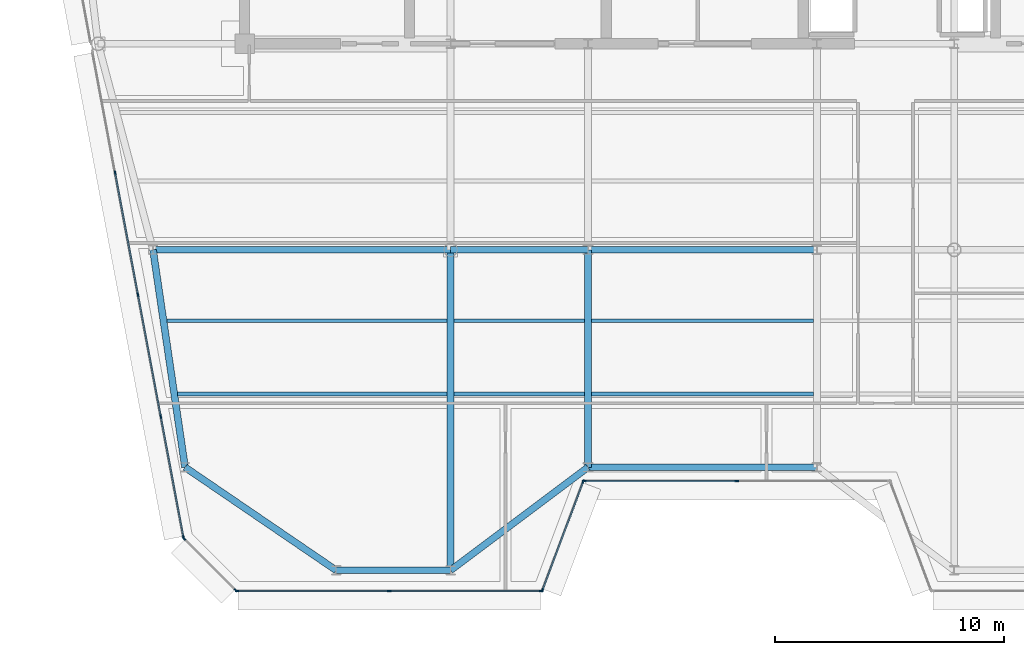
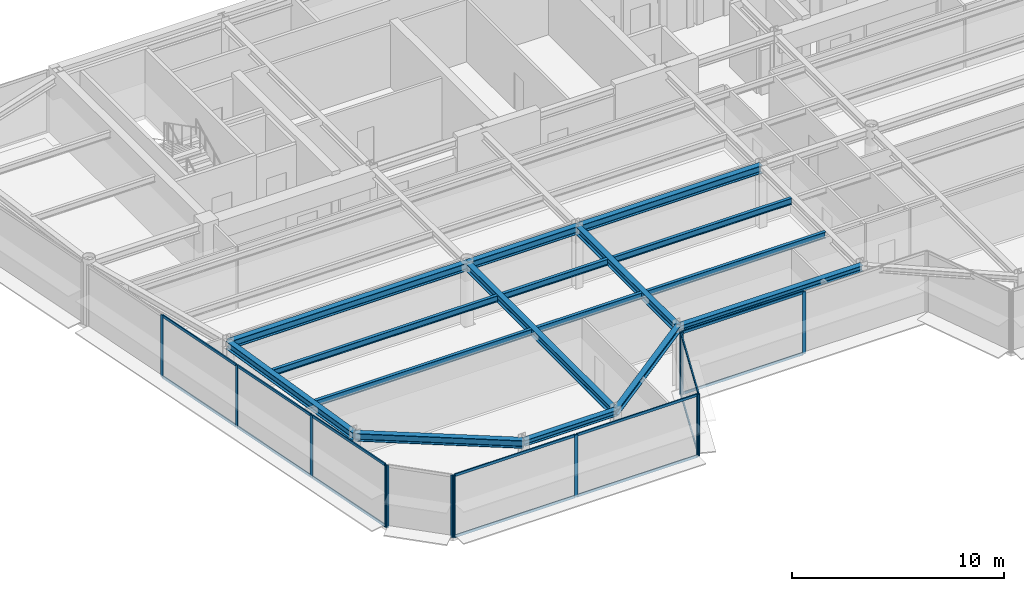
# One storey, part 3 of 19: 27 members, 16 beams, 5 elements without a shape of their own.
"""IFC4 building model written with IfcOpenShell, lengths in metres."""

from ifc_helpers import new_model, si_unit, direction, frame, origin, origin_2d, place, context, subcontext, project, spatial, rectangle, i_section, extrude, source, transform, mapped, material, layer, layer_set, material_profile, profile_set, type_object, element, aggregate, save


model = new_model("IFC4")

# Units and contexts
model_context = context("Model", 3, precision=1e-05, world=origin(), true_north=direction((0.0, 1.0)))
body_context = subcontext(model_context, "Body", "Model", "MODEL_VIEW")
ifc_project = project(units=[si_unit("LENGTHUNIT", "METRE"), si_unit("AREAUNIT", "SQUARE_METRE"), si_unit("VOLUMEUNIT", "CUBIC_METRE"), si_unit("PLANEANGLEUNIT", "RADIAN"), si_unit("MASSUNIT", "GRAM", prefix="KILO")], contexts=[model_context])

# Site, building, storey
site_placement = place(None, origin())
site = spatial("IfcSite", under=ifc_project, at=site_placement, CompositionType="ELEMENT")
building_placement = place(site_placement, origin())
building = spatial("IfcBuilding", under=site, at=building_placement, Name="Vaeldorn Concourse Tower", CompositionType="ELEMENT")
storey_placement = place(building_placement, frame((0.0, 0.0, 287.800048828125)))
storey = spatial("IfcBuildingStorey", under=building, at=storey_placement, Name="L74", CompositionType="ELEMENT", Elevation=287.800048828125)

# Beams
ifc_material_1 = material(Name="Steel S355", Category="steel")
ifc_material_profile_1 = material_profile(ifc_material_1, i_section(OverallWidth=0.300048828125, OverallDepth=0.449951171875, WebThickness=0.013916015625, FlangeThickness=0.02587890625, FilletRadius=0.027099609375, at=origin_2d()), Name="HEB 450")
ifc_profile_set_1 = profile_set([ifc_material_profile_1], Name="Steel S355")
beam_type_1 = type_object("IfcBeamType", Name="BM-PG-HEB450", PredefinedType="BEAM", material=ifc_profile_set_1)
shared_shape_1 = source(origin(), body_context, "Body", "SweptSolid", [
    extrude(i_section(OverallWidth=0.300048828125, OverallDepth=0.449951171875, WebThickness=0.013916015625, FlangeThickness=0.02587890625, FilletRadius=0.027099609375, at=origin_2d()), origin(), (0.0, 0.0, 1.0), 6.0),
])
beam_1_placement = place(storey_placement, frame((23.0, 27.5, 3.35498046875), z_axis=(1.0, 0.0, 0.0), x_axis=(0.0, 1.0, 0.0)))
element("IfcBeam", 1, at=beam_1_placement, inside=storey, type_object=beam_type_1, Name="Beam BM-L74-C-TW1-C-TW2", PredefinedType="BEAM", context=body_context, shape_type="MappedRepresentation", body=[
    mapped(shared_shape_1, transform((0.0, 0.0, 0.0), scale=1.0)),
])
shared_shape_2 = source(origin(), body_context, "Body", "SweptSolid", [
    extrude(i_section(OverallWidth=0.300048828125, OverallDepth=0.449951171875, WebThickness=0.013916015625, FlangeThickness=0.02587890625, FilletRadius=0.027099609375, at=origin_2d()), origin(), (0.0, 0.0, 1.0), 10.0),
])
beam_2_placement = place(storey_placement, frame((29.0, 27.5, 3.35498046875), z_axis=(1.0, 0.0, 0.0), x_axis=(0.0, 1.0, 0.0)))
element("IfcBeam", 2, at=beam_2_placement, inside=storey, type_object=beam_type_1, Name="Beam BM-L74-C-TW2-C-TW3", PredefinedType="BEAM", context=body_context, shape_type="MappedRepresentation", body=[
    mapped(shared_shape_2, transform((0.0, 0.0, 0.0), scale=1.0)),
])
ifc_material_profile_2 = material_profile(ifc_material_1, i_section(OverallWidth=0.169921875, OverallDepth=0.360107421875, WebThickness=0.008056640625, FlangeThickness=0.0126953125, FilletRadius=0.01806640625, at=origin_2d()), Name="IPE 360")
ifc_profile_set_2 = profile_set([ifc_material_profile_2], Name="Steel S355")
beam_type_2 = type_object("IfcBeamType", Name="BM-JS-IPE360", PredefinedType="JOIST", material=ifc_profile_set_2)
shared_shape_3 = source(origin(), body_context, "Body", "SweptSolid", [
    extrude(i_section(OverallWidth=0.169921875, OverallDepth=0.360107421875, WebThickness=0.008056640625, FlangeThickness=0.0126953125, FilletRadius=0.01806640625, at=origin_2d()), origin(), (0.0, 0.0, 1.0), 11.771728515625),
])
beam_3_placement = place(storey_placement, frame((11.078369140625, 21.199951171875, 3.39990234375), z_axis=(1.0, 0.0, 0.0), x_axis=(0.0, 1.0, 0.0)))
element("IfcBeam", 3, at=beam_3_placement, inside=storey, type_object=beam_type_2, Name="Beam JS-L74-W1-212", PredefinedType="JOIST", context=body_context, shape_type="MappedRepresentation", body=[
    mapped(shared_shape_3, transform((0.0, 0.0, 0.0), scale=1.0)),
])
shared_shape_4 = source(origin(), body_context, "Body", "SweptSolid", [
    extrude(i_section(OverallWidth=0.169921875, OverallDepth=0.360107421875, WebThickness=0.008056640625, FlangeThickness=0.0126953125, FilletRadius=0.01806640625, at=origin_2d()), origin(), (0.0, 0.0, 1.0), 5.7001953125),
])
for number, where, z_axis, x_axis, name in (
    (4, (23.14990234375, 21.199951171875, 3.39990234375), (1.0, 0.0, 0.0), (0.0, 1.0, 0.0), "Beam JS-L74-W2-212"),
    (5, (23.14990234375, 24.39990234375, 3.39990234375), (1.0, 0.0, 0.0), (0.0, 1.0, 0.0), "Beam JS-L74-W2-244"),
):
    element("IfcBeam", number, at=place(storey_placement, frame(where, z_axis=z_axis, x_axis=x_axis)), inside=storey, type_object=beam_type_2, Name=name, PredefinedType="JOIST", context=body_context, shape_type="MappedRepresentation", body=[
        mapped(shared_shape_4, transform((0.0, 0.0, 0.0), scale=1.0)),
    ])
shared_shape_5 = source(origin(), body_context, "Body", "SweptSolid", [
    extrude(i_section(OverallWidth=0.169921875, OverallDepth=0.360107421875, WebThickness=0.008056640625, FlangeThickness=0.0126953125, FilletRadius=0.01806640625, at=origin_2d()), origin(), (0.0, 0.0, 1.0), 9.7001953125),
])
for number, where, z_axis, x_axis, name in (
    (6, (29.14990234375, 21.199951171875, 3.39990234375), (1.0, 0.0, 0.0), (0.0, 1.0, 0.0), "Beam JS-L74-C-212"),
    (7, (29.14990234375, 24.39990234375, 3.39990234375), (1.0, 0.0, 0.0), (0.0, 1.0, 0.0), "Beam JS-L74-C-244"),
):
    element("IfcBeam", number, at=place(storey_placement, frame(where, z_axis=z_axis, x_axis=x_axis)), inside=storey, type_object=beam_type_2, Name=name, PredefinedType="JOIST", context=body_context, shape_type="MappedRepresentation", body=[
        mapped(shared_shape_5, transform((0.0, 0.0, 0.0), scale=1.0)),
    ])
shared_shape_6 = source(origin(), body_context, "Body", "SweptSolid", [
    extrude(i_section(OverallWidth=0.169921875, OverallDepth=0.360107421875, WebThickness=0.008056640625, FlangeThickness=0.0126953125, FilletRadius=0.01806640625, at=origin_2d()), origin(), (0.0, 0.0, 1.0), 12.243408203125),
])
beam_4_placement = place(storey_placement, frame((10.606689453125, 24.39990234375, 3.39990234375), z_axis=(1.0, 0.0, 0.0), x_axis=(0.0, 1.0, 0.0)))
element("IfcBeam", 8, at=beam_4_placement, inside=storey, type_object=beam_type_2, Name="Beam JS-L74-W1-244", PredefinedType="JOIST", context=body_context, shape_type="MappedRepresentation", body=[
    mapped(shared_shape_6, transform((0.0, 0.0, 0.0), scale=1.0)),
])
ifc_material_profile_3 = material_profile(ifc_material_1, i_section(OverallWidth=0.300048828125, OverallDepth=0.340087890625, WebThickness=0.011962890625, FlangeThickness=0.021484375, FilletRadius=0.027099609375, at=origin_2d()), Name="HEB 340")
ifc_profile_set_3 = profile_set([ifc_material_profile_3], Name="Steel S355")
beam_type_3 = type_object("IfcBeamType", Name="BM-SP-HEB340", PredefinedType="SPANDREL", material=ifc_profile_set_3)
shared_shape_7 = source(origin(), body_context, "Body", "SweptSolid", [
    extrude(i_section(OverallWidth=0.300048828125, OverallDepth=0.340087890625, WebThickness=0.011962890625, FlangeThickness=0.021484375, FilletRadius=0.027099609375, at=origin_2d()), origin(), (0.0, 0.0, 1.0), 5.0),
])
beam_5_placement = place(storey_placement, frame((18.0, 13.5, 3.409912109375), z_axis=(1.0, 0.0, 0.0), x_axis=(0.0, 1.0, 0.0)))
element("IfcBeam", 9, at=beam_5_placement, inside=storey, type_object=beam_type_3, Name="Beam BM-L74-C-SF1-C-SF2", PredefinedType="SPANDREL", context=body_context, shape_type="MappedRepresentation", body=[
    mapped(shared_shape_7, transform((0.0, 0.0, 0.0), scale=1.0)),
])
shared_shape_8 = source(origin(), body_context, "Body", "SweptSolid", [
    extrude(i_section(OverallWidth=0.300048828125, OverallDepth=0.340087890625, WebThickness=0.011962890625, FlangeThickness=0.021484375, FilletRadius=0.027099609375, at=origin_2d()), origin(), (0.0, 0.0, 1.0), 7.5),
])
beam_6_placement = place(storey_placement, frame((23.0, 13.5, 3.409912109375), z_axis=(0.8, 0.6, 0.0), x_axis=(-0.6, 0.8, 0.0)))
element("IfcBeam", 10, at=beam_6_placement, inside=storey, type_object=beam_type_3, Name="Beam BM-L74-C-SF2-C-SF3", PredefinedType="SPANDREL", context=body_context, shape_type="MappedRepresentation", body=[
    mapped(shared_shape_8, transform((0.0, 0.0, 0.0), scale=1.0)),
])
shared_shape_9 = source(origin(), body_context, "Body", "SweptSolid", [
    extrude(i_section(OverallWidth=0.300048828125, OverallDepth=0.340087890625, WebThickness=0.011962890625, FlangeThickness=0.021484375, FilletRadius=0.027099609375, at=origin_2d()), origin(), (0.0, 0.0, 1.0), 10.0),
])
beam_7_placement = place(storey_placement, frame((29.0, 18.0, 3.409912109375), z_axis=(1.0, 0.0, 0.0), x_axis=(0.0, 1.0, 0.0)))
element("IfcBeam", 11, at=beam_7_placement, inside=storey, type_object=beam_type_3, Name="Beam BM-L74-C-SF3-C-SF4", PredefinedType="SPANDREL", context=body_context, shape_type="MappedRepresentation", body=[
    mapped(shared_shape_9, transform((0.0, 0.0, 0.0), scale=1.0)),
])
shared_shape_10 = source(origin(), body_context, "Body", "SweptSolid", [
    extrude(i_section(OverallWidth=0.300048828125, OverallDepth=0.449951171875, WebThickness=0.013916015625, FlangeThickness=0.02587890625, FilletRadius=0.027099609375, at=origin_2d()), origin(), (0.0, 0.0, 1.0), 14.0),
])
beam_8_placement = place(storey_placement, frame((23.0, 13.5, 3.35498046875), z_axis=(0.0, 1.0, 0.0), x_axis=(-1.0, 0.0, 0.0)))
element("IfcBeam", 12, at=beam_8_placement, inside=storey, type_object=beam_type_1, Name="Beam BM-L74-C-SF2-C-TW1", PredefinedType="BEAM", context=body_context, shape_type="MappedRepresentation", body=[
    mapped(shared_shape_10, transform((0.0, 0.0, 0.0), scale=1.0)),
])
shared_shape_11 = source(origin(), body_context, "Body", "SweptSolid", [
    extrude(i_section(OverallWidth=0.300048828125, OverallDepth=0.449951171875, WebThickness=0.013916015625, FlangeThickness=0.02587890625, FilletRadius=0.027099609375, at=origin_2d()), origin(), (0.0, 0.0, 1.0), 13.0),
])
beam_9_placement = place(storey_placement, frame((10.0, 27.5, 3.35498046875), z_axis=(1.0, 0.0, 0.0), x_axis=(0.0, 1.0, 0.0)))
element("IfcBeam", 13, at=beam_9_placement, inside=storey, type_object=beam_type_1, Name="Beam BM-L74-C-FLW1-C-TW1", PredefinedType="BEAM", context=body_context, shape_type="MappedRepresentation", body=[
    mapped(shared_shape_11, transform((0.0, 0.0, 0.0), scale=1.0)),
])
shared_shape_12 = source(origin(), body_context, "Body", "SweptSolid", [
    extrude(i_section(OverallWidth=0.300048828125, OverallDepth=0.449951171875, WebThickness=0.013916015625, FlangeThickness=0.02587890625, FilletRadius=0.027099609375, at=origin_2d()), origin(), (0.0, 0.0, 1.0), 9.6025390625),
])
beam_10_placement = place(storey_placement, frame((10.0, 27.5, 3.35498046875), z_axis=(0.145783835977, -0.989316467652, 0.0), x_axis=(0.989316467652, 0.145783835977, 0.0)))
element("IfcBeam", 14, at=beam_10_placement, inside=storey, type_object=beam_type_1, Name="Beam BM-L74-C-FLW1-C-FLW2", PredefinedType="BEAM", context=body_context, shape_type="MappedRepresentation", body=[
    mapped(shared_shape_12, transform((0.0, 0.0, 0.0), scale=1.0)),
])
shared_shape_13 = source(origin(), body_context, "Body", "SweptSolid", [
    extrude(i_section(OverallWidth=0.300048828125, OverallDepth=0.449951171875, WebThickness=0.013916015625, FlangeThickness=0.02587890625, FilletRadius=0.027099609375, at=origin_2d()), origin(), (0.0, 0.0, 1.0), 7.98828125),
])
beam_11_placement = place(storey_placement, frame((18.0, 13.5, 3.35498046875), z_axis=(-0.826231222393, 0.56333113454, 0.0), x_axis=(-0.56333113454, -0.826231222393, 0.0)))
element("IfcBeam", 15, at=beam_11_placement, inside=storey, type_object=beam_type_1, Name="Beam BM-L74-C-SF1-C-FLW2", PredefinedType="BEAM", context=body_context, shape_type="MappedRepresentation", body=[
    mapped(shared_shape_13, transform((0.0, 0.0, 0.0), scale=1.0)),
])
shared_shape_14 = source(origin(), body_context, "Body", "SweptSolid", [
    extrude(i_section(OverallWidth=0.300048828125, OverallDepth=0.449951171875, WebThickness=0.013916015625, FlangeThickness=0.02587890625, FilletRadius=0.027099609375, at=origin_2d()), origin(), (0.0, 0.0, 1.0), 9.5),
])
beam_12_placement = place(storey_placement, frame((29.0, 18.0, 3.35498046875), z_axis=(0.0, 1.0, 0.0), x_axis=(-1.0, 0.0, 0.0)))
element("IfcBeam", 16, at=beam_12_placement, inside=storey, type_object=beam_type_1, Name="Beam BM-L74-C-SF3-C-TW2", PredefinedType="BEAM", context=body_context, shape_type="MappedRepresentation", body=[
    mapped(shared_shape_14, transform((0.0, 0.0, 0.0), scale=1.0)),
])

# Curtain wall, members
ifc_material_2 = material(Name="Anodised Bronze Aluminium", Category="aluminium")
ifc_layer = layer(ifc_material_2, 0.179931640625)
ifc_layer_set = layer_set([ifc_layer], Name="Anodised Bronze Aluminium")
curtain_wall_type = type_object("IfcCurtainWallType", Name="CW-SYS-05", PredefinedType="NOTDEFINED", material=ifc_layer_set)
curtain_wall_1_placement = place(storey_placement, origin())
curtain_wall_1 = element("IfcCurtainWall", 17, at=curtain_wall_1_placement, inside=storey, type_object=curtain_wall_type, Name="Unitised Curtain Wall CW-L74-E01-1", PredefinedType="NOTDEFINED")
ifc_material_profile_4 = material_profile(ifc_material_2, rectangle(XDim=0.06494140625, YDim=0.169921875, at=origin_2d()), Name="CWM 65x170")
ifc_profile_set_4 = profile_set([ifc_material_profile_4], Name="Anodised Bronze Aluminium")
member_type_1 = type_object("IfcMemberType", Name="CWM-BRONZE-170", PredefinedType="MULLION", material=ifc_profile_set_4)
shared_shape_15 = source(origin(), body_context, "Body", "SweptSolid", [
    extrude(rectangle(XDim=0.06494140625, YDim=0.169921875, at=origin_2d()), origin(), (0.0, 0.0, 1.0), 3.579833984375),
])
member_1_placement = place(storey_placement, frame((13.66845703125, 12.60009765625, 0.0), z_axis=(0.0, 0.0, 1.0), x_axis=(0.0, 1.0, 0.0)))
member_1 = element("IfcMember", 18, at=member_1_placement, type_object=member_type_1, Name="CW-05 mullion 1", PredefinedType="MULLION", context=body_context, shape_type="MappedRepresentation", body=[
    mapped(shared_shape_15, transform((0.0, 0.0, 0.0), scale=1.0)),
])
member_2_placement = place(storey_placement, frame((20.318115234375, 12.60009765625, 0.0), z_axis=(0.0, 0.0, 1.0), x_axis=(0.0, 1.0, 0.0)))
member_2 = element("IfcMember", 19, at=member_2_placement, type_object=member_type_1, Name="CW-05 mullion 2", PredefinedType="MULLION", context=body_context, shape_type="MappedRepresentation", body=[
    mapped(shared_shape_15, transform((0.0, 0.0, 0.0), scale=1.0)),
])
member_3_placement = place(storey_placement, frame((26.967529296875, 12.60009765625, 0.0), z_axis=(0.0, 0.0, 1.0), x_axis=(0.0, 1.0, 0.0)))
member_3 = element("IfcMember", 20, at=member_3_placement, type_object=member_type_1, Name="CW-05 mullion 3", PredefinedType="MULLION", context=body_context, shape_type="MappedRepresentation", body=[
    mapped(shared_shape_15, transform((0.0, 0.0, 0.0), scale=1.0)),
])

curtain_wall_2_placement = place(storey_placement, origin())
curtain_wall_2 = element("IfcCurtainWall", 21, at=curtain_wall_2_placement, inside=storey, type_object=curtain_wall_type, Name="Unitised Curtain Wall CW-L74-E02-1", PredefinedType="NOTDEFINED")
member_4_placement = place(storey_placement, frame((27.011474609375, 12.63037109375, 0.0), z_axis=(0.0, 0.0, 1.0), x_axis=(-0.936329177566, 0.351123441595, 0.0)))
member_4 = element("IfcMember", 22, at=member_4_placement, type_object=member_type_1, Name="CW-05 mullion 1", PredefinedType="MULLION", context=body_context, shape_type="MappedRepresentation", body=[
    mapped(shared_shape_15, transform((0.0, 0.0, 0.0), scale=1.0)),
])
member_5_placement = place(storey_placement, frame((28.78857421875, 17.36962890625, 0.0), z_axis=(0.0, 0.0, 1.0), x_axis=(-0.936329177566, 0.351123441595, 0.0)))
member_5 = element("IfcMember", 23, at=member_5_placement, type_object=member_type_1, Name="CW-05 mullion 2", PredefinedType="MULLION", context=body_context, shape_type="MappedRepresentation", body=[
    mapped(shared_shape_15, transform((0.0, 0.0, 0.0), scale=1.0)),
])

curtain_wall_3_placement = place(storey_placement, origin())
curtain_wall_3 = element("IfcCurtainWall", 24, at=curtain_wall_3_placement, inside=storey, type_object=curtain_wall_type, Name="Unitised Curtain Wall CW-L74-E03-1", PredefinedType="NOTDEFINED")
member_6_placement = place(storey_placement, frame((28.83251953125, 17.39990234375, 0.0), z_axis=(0.0, 0.0, 1.0), x_axis=(0.0, 1.0, 0.0)))
member_6 = element("IfcMember", 25, at=member_6_placement, type_object=member_type_1, Name="CW-05 mullion 1", PredefinedType="MULLION", context=body_context, shape_type="MappedRepresentation", body=[
    mapped(shared_shape_15, transform((0.0, 0.0, 0.0), scale=1.0)),
])
member_7_placement = place(storey_placement, frame((35.5, 17.39990234375, 0.0), z_axis=(0.0, 0.0, 1.0), x_axis=(0.0, 1.0, 0.0)))
member_7 = element("IfcMember", 26, at=member_7_placement, type_object=member_type_1, Name="CW-05 mullion 2", PredefinedType="MULLION", context=body_context, shape_type="MappedRepresentation", body=[
    mapped(shared_shape_15, transform((0.0, 0.0, 0.0), scale=1.0)),
])

curtain_wall_4_placement = place(storey_placement, origin())
curtain_wall_4 = element("IfcCurtainWall", 27, at=curtain_wall_4_placement, inside=storey, type_object=curtain_wall_type, Name="Unitised Curtain Wall CW-L74-E11-2", PredefinedType="NOTDEFINED")
member_8_placement = place(storey_placement, frame((8.343505859375, 30.86376953125, 0.0), z_axis=(0.0, 0.0, 1.0), x_axis=(0.982880027444, 0.184246714088, 0.0)))
member_8 = element("IfcMember", 28, at=member_8_placement, type_object=member_type_1, Name="CW-05 mullion 2", PredefinedType="MULLION", context=body_context, shape_type="MappedRepresentation", body=[
    mapped(shared_shape_15, transform((0.0, 0.0, 0.0), scale=1.0)),
])
member_9_placement = place(storey_placement, frame((9.341064453125, 25.54248046875, 0.0), z_axis=(0.0, 0.0, 1.0), x_axis=(0.982880027444, 0.184246714088, 0.0)))
member_9 = element("IfcMember", 29, at=member_9_placement, type_object=member_type_1, Name="CW-05 mullion 3", PredefinedType="MULLION", context=body_context, shape_type="MappedRepresentation", body=[
    mapped(shared_shape_15, transform((0.0, 0.0, 0.0), scale=1.0)),
])
member_10_placement = place(storey_placement, frame((10.33837890625, 20.22119140625, 0.0), z_axis=(0.0, 0.0, 1.0), x_axis=(0.982880027444, 0.184246714088, 0.0)))
member_10 = element("IfcMember", 30, at=member_10_placement, type_object=member_type_1, Name="CW-05 mullion 4", PredefinedType="MULLION", context=body_context, shape_type="MappedRepresentation", body=[
    mapped(shared_shape_15, transform((0.0, 0.0, 0.0), scale=1.0)),
])
member_11_placement = place(storey_placement, frame((11.330078125, 14.931884765625, 0.0), z_axis=(0.0, 0.0, 1.0), x_axis=(0.982880027444, 0.184246714088, 0.0)))
member_11 = element("IfcMember", 31, at=member_11_placement, type_object=member_type_1, Name="CW-05 mullion 5", PredefinedType="MULLION", context=body_context, shape_type="MappedRepresentation", body=[
    mapped(shared_shape_15, transform((0.0, 0.0, 0.0), scale=1.0)),
])

curtain_wall_5_placement = place(storey_placement, origin())
curtain_wall_5 = element("IfcCurtainWall", 32, at=curtain_wall_5_placement, inside=storey, type_object=curtain_wall_type, Name="Unitised Curtain Wall CW-L74-E12-1", PredefinedType="NOTDEFINED")
member_12_placement = place(storey_placement, frame((11.35888671875, 14.876953125, 0.0), z_axis=(0.0, 0.0, 1.0), x_axis=(0.707106781187, 0.707106781187, 0.0)))
member_12 = element("IfcMember", 33, at=member_12_placement, type_object=member_type_1, Name="CW-05 mullion 1", PredefinedType="MULLION", context=body_context, shape_type="MappedRepresentation", body=[
    mapped(shared_shape_15, transform((0.0, 0.0, 0.0), scale=1.0)),
])
member_13_placement = place(storey_placement, frame((13.613037109375, 12.623046875, 0.0), z_axis=(0.0, 0.0, 1.0), x_axis=(0.707106781187, 0.707106781187, 0.0)))
member_13 = element("IfcMember", 34, at=member_13_placement, type_object=member_type_1, Name="CW-05 mullion 2", PredefinedType="MULLION", context=body_context, shape_type="MappedRepresentation", body=[
    mapped(shared_shape_15, transform((0.0, 0.0, 0.0), scale=1.0)),
])
aggregate(curtain_wall_5, [member_12, member_13])

# Member
ifc_material_profile_5 = material_profile(ifc_material_2, rectangle(XDim=0.06494140625, YDim=0.14990234375, at=origin_2d()), Name="CWT 65x150")
ifc_profile_set_5 = profile_set([ifc_material_profile_5], Name="Anodised Bronze Aluminium")
member_type_2 = type_object("IfcMemberType", Name="CWT-BRONZE-150", PredefinedType="USERDEFINED", material=ifc_profile_set_5)
shared_shape_16 = source(origin(), body_context, "Body", "SweptSolid", [
    extrude(rectangle(XDim=0.06494140625, YDim=0.14990234375, at=origin_2d()), origin(), (0.0, 0.0, 1.0), 4.996337890625),
])
member_14_placement = place(storey_placement, frame((27.022705078125, 12.660888671875, 0.032470703125), z_axis=(0.351134151405, 0.936325161318, 0.0), x_axis=(-0.936325161318, 0.351134151405, 0.0)))
member_14 = element("IfcMember", 35, at=member_14_placement, type_object=member_type_2, Name="CW-05 transom 1.1", ObjectType="TRANSOM", PredefinedType="USERDEFINED", context=body_context, shape_type="MappedRepresentation", body=[
    mapped(shared_shape_16, transform((0.0, 0.0, 0.0), scale=1.0)),
])

member_15_placement = place(storey_placement, frame((27.022705078125, 12.660888671875, 3.54736328125), z_axis=(0.351134151405, 0.936325161318, 0.0), x_axis=(-0.936325161318, 0.351134151405, 0.0)))
member_15 = element("IfcMember", 36, at=member_15_placement, type_object=member_type_2, Name="CW-05 transom 1.2", ObjectType="TRANSOM", PredefinedType="USERDEFINED", context=body_context, shape_type="MappedRepresentation", body=[
    mapped(shared_shape_16, transform((0.0, 0.0, 0.0), scale=1.0)),
])

aggregate(curtain_wall_2, [member_4, member_5, member_14, member_15])

shared_shape_17 = source(origin(), body_context, "Body", "SweptSolid", [
    extrude(rectangle(XDim=0.06494140625, YDim=0.14990234375, at=origin_2d()), origin(), (0.0, 0.0, 1.0), 6.6025390625),
])
member_16_placement = place(storey_placement, frame((28.864990234375, 17.39990234375, 0.032470703125), z_axis=(1.0, 0.0, 0.0), x_axis=(0.0, 1.0, 0.0)))
member_16 = element("IfcMember", 37, at=member_16_placement, type_object=member_type_2, Name="CW-05 transom 1.1", ObjectType="TRANSOM", PredefinedType="USERDEFINED", context=body_context, shape_type="MappedRepresentation", body=[
    mapped(shared_shape_17, transform((0.0, 0.0, 0.0), scale=1.0)),
])

member_17_placement = place(storey_placement, frame((28.864990234375, 17.39990234375, 3.54736328125), z_axis=(1.0, 0.0, 0.0), x_axis=(0.0, 1.0, 0.0)))
member_17 = element("IfcMember", 38, at=member_17_placement, type_object=member_type_2, Name="CW-05 transom 1.2", ObjectType="TRANSOM", PredefinedType="USERDEFINED", context=body_context, shape_type="MappedRepresentation", body=[
    mapped(shared_shape_17, transform((0.0, 0.0, 0.0), scale=1.0)),
])

aggregate(curtain_wall_3, [member_6, member_7, member_16, member_17])

shared_shape_18 = source(origin(), body_context, "Body", "SweptSolid", [
    extrude(rectangle(XDim=0.06494140625, YDim=0.14990234375, at=origin_2d()), origin(), (0.0, 0.0, 1.0), 5.31640625),
])
member_18_placement = place(storey_placement, frame((10.344482421875, 20.189208984375, 0.032470703125), z_axis=(0.184241399207, -0.982881023735, 0.0), x_axis=(0.982881023735, 0.184241399207, 0.0)))
member_18 = element("IfcMember", 39, at=member_18_placement, type_object=member_type_2, Name="CW-05 transom 4.1", ObjectType="TRANSOM", PredefinedType="USERDEFINED", context=body_context, shape_type="MappedRepresentation", body=[
    mapped(shared_shape_18, transform((0.0, 0.0, 0.0), scale=1.0)),
])

member_19_placement = place(storey_placement, frame((10.344482421875, 20.189208984375, 3.54736328125), z_axis=(0.184241399207, -0.982881023735, 0.0), x_axis=(0.982881023735, 0.184241399207, 0.0)))
member_19 = element("IfcMember", 40, at=member_19_placement, type_object=member_type_2, Name="CW-05 transom 4.2", ObjectType="TRANSOM", PredefinedType="USERDEFINED", context=body_context, shape_type="MappedRepresentation", body=[
    mapped(shared_shape_18, transform((0.0, 0.0, 0.0), scale=1.0)),
])

shared_shape_19 = source(origin(), body_context, "Body", "SweptSolid", [
    extrude(rectangle(XDim=0.06494140625, YDim=0.14990234375, at=origin_2d()), origin(), (0.0, 0.0, 1.0), 5.348876953125),
])
member_20_placement = place(storey_placement, frame((8.349609375, 30.831787109375, 0.032470703125), z_axis=(0.184216882988, -0.982885618993, 0.0), x_axis=(0.982885618993, 0.184216882988, 0.0)))
member_20 = element("IfcMember", 41, at=member_20_placement, type_object=member_type_2, Name="CW-05 transom 2.1", ObjectType="TRANSOM", PredefinedType="USERDEFINED", context=body_context, shape_type="MappedRepresentation", body=[
    mapped(shared_shape_19, transform((0.0, 0.0, 0.0), scale=1.0)),
])

member_21_placement = place(storey_placement, frame((8.349609375, 30.831787109375, 3.54736328125), z_axis=(0.184216882988, -0.982885618993, 0.0), x_axis=(0.982885618993, 0.184216882988, 0.0)))
member_21 = element("IfcMember", 42, at=member_21_placement, type_object=member_type_2, Name="CW-05 transom 2.2", ObjectType="TRANSOM", PredefinedType="USERDEFINED", context=body_context, shape_type="MappedRepresentation", body=[
    mapped(shared_shape_19, transform((0.0, 0.0, 0.0), scale=1.0)),
])

member_22_placement = place(storey_placement, frame((9.346923828125, 25.510498046875, 0.032470703125), z_axis=(0.184260976912, -0.982877353685, 0.0), x_axis=(0.982877353685, 0.184260976912, 0.0)))
member_22 = element("IfcMember", 43, at=member_22_placement, type_object=member_type_2, Name="CW-05 transom 3.1", ObjectType="TRANSOM", PredefinedType="USERDEFINED", context=body_context, shape_type="MappedRepresentation", body=[
    mapped(shared_shape_19, transform((0.0, 0.0, 0.0), scale=1.0)),
])

member_23_placement = place(storey_placement, frame((9.346923828125, 25.510498046875, 3.54736328125), z_axis=(0.184260976912, -0.982877353685, 0.0), x_axis=(0.982877353685, 0.184260976912, 0.0)))
member_23 = element("IfcMember", 44, at=member_23_placement, type_object=member_type_2, Name="CW-05 transom 3.2", ObjectType="TRANSOM", PredefinedType="USERDEFINED", context=body_context, shape_type="MappedRepresentation", body=[
    mapped(shared_shape_19, transform((0.0, 0.0, 0.0), scale=1.0)),
])

aggregate(curtain_wall_4, [member_8, member_9, member_10, member_11, member_20, member_21, member_22, member_23, member_18, member_19])

shared_shape_20 = source(origin(), body_context, "Body", "SweptSolid", [
    extrude(rectangle(XDim=0.06494140625, YDim=0.14990234375, at=origin_2d()), origin(), (0.0, 0.0, 1.0), 6.58447265625),
])
member_24_placement = place(storey_placement, frame((13.700927734375, 12.60009765625, 0.032470703125), z_axis=(1.0, 0.0, 0.0), x_axis=(0.0, 1.0, 0.0)))
member_24 = element("IfcMember", 45, at=member_24_placement, type_object=member_type_2, Name="CW-05 transom 1.1", ObjectType="TRANSOM", PredefinedType="USERDEFINED", context=body_context, shape_type="MappedRepresentation", body=[
    mapped(shared_shape_20, transform((0.0, 0.0, 0.0), scale=1.0)),
])

member_25_placement = place(storey_placement, frame((13.700927734375, 12.60009765625, 3.54736328125), z_axis=(1.0, 0.0, 0.0), x_axis=(0.0, 1.0, 0.0)))
member_25 = element("IfcMember", 46, at=member_25_placement, type_object=member_type_2, Name="CW-05 transom 1.2", ObjectType="TRANSOM", PredefinedType="USERDEFINED", context=body_context, shape_type="MappedRepresentation", body=[
    mapped(shared_shape_20, transform((0.0, 0.0, 0.0), scale=1.0)),
])

member_26_placement = place(storey_placement, frame((20.3505859375, 12.60009765625, 0.032470703125), z_axis=(1.0, 0.0, 0.0), x_axis=(0.0, 1.0, 0.0)))
member_26 = element("IfcMember", 47, at=member_26_placement, type_object=member_type_2, Name="CW-05 transom 2.1", ObjectType="TRANSOM", PredefinedType="USERDEFINED", context=body_context, shape_type="MappedRepresentation", body=[
    mapped(shared_shape_20, transform((0.0, 0.0, 0.0), scale=1.0)),
])

member_27_placement = place(storey_placement, frame((20.3505859375, 12.60009765625, 3.54736328125), z_axis=(1.0, 0.0, 0.0), x_axis=(0.0, 1.0, 0.0)))
member_27 = element("IfcMember", 48, at=member_27_placement, type_object=member_type_2, Name="CW-05 transom 2.2", ObjectType="TRANSOM", PredefinedType="USERDEFINED", context=body_context, shape_type="MappedRepresentation", body=[
    mapped(shared_shape_20, transform((0.0, 0.0, 0.0), scale=1.0)),
])

aggregate(curtain_wall_1, [member_1, member_2, member_3, member_24, member_25, member_26, member_27])

save(model, "model.ifc")
